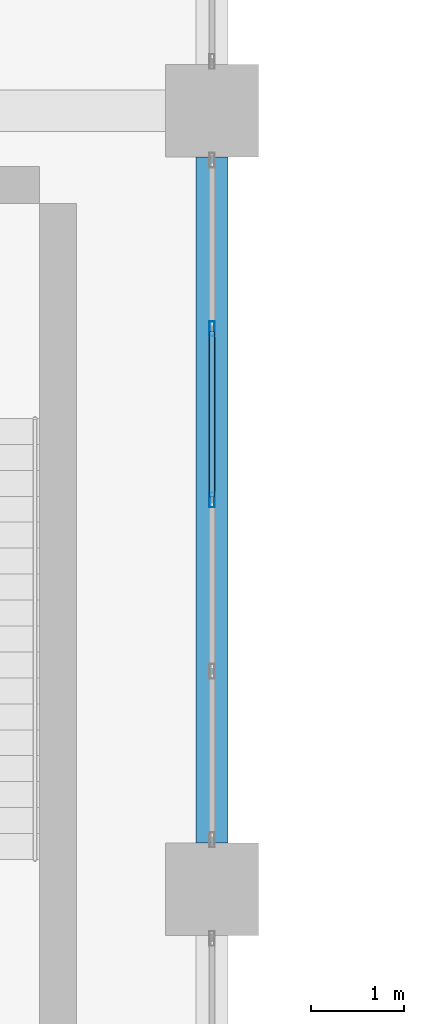
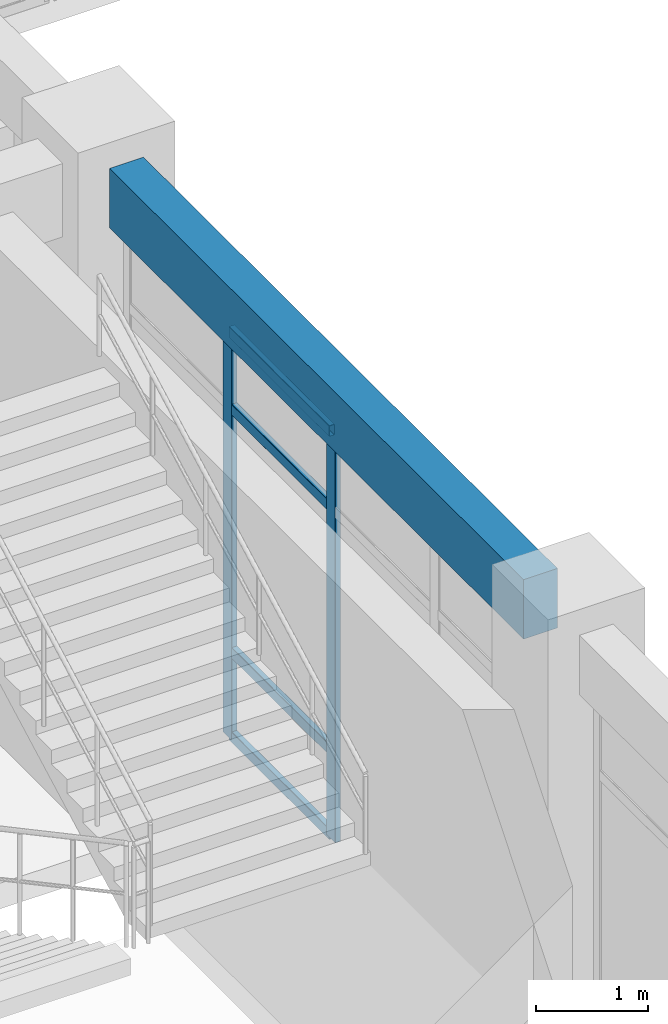
# One storey, part 25 of 114: 6 members, 1 beam, 1 element without a shape of its own.
"""IFC4 building model written with IfcOpenShell, lengths in metres."""

from ifc_helpers import new_model, si_unit, derived_unit, direction, frame, origin, origin_2d, place, context, subcontext, project, spatial, rectangle, hollow_rectangle, extrude, material, layer, layer_set, material_profile, profile_set, type_object, element, aggregate, save


model = new_model("IFC4")

# Units and contexts
model_context = context("Model", 3, precision=1e-05, world=origin(), true_north=direction((0.0, 1.0)))
body_context = subcontext(model_context, "Body", "Model", "MODEL_VIEW")
ifc_project = project(units=[si_unit("LENGTHUNIT", "METRE"), si_unit("AREAUNIT", "SQUARE_METRE"), si_unit("VOLUMEUNIT", "CUBIC_METRE"), si_unit("PLANEANGLEUNIT", "RADIAN"), si_unit("MASSUNIT", "GRAM", prefix="KILO"), derived_unit("THERMALTRANSMITTANCEUNIT", [(si_unit("MASSUNIT", "GRAM", prefix="KILO"), 1), (si_unit("TIMEUNIT", "SECOND"), -3), (si_unit("THERMODYNAMICTEMPERATUREUNIT", "KELVIN"), -1)])], contexts=[model_context])

# Site, building, storey
site_placement = place(None, origin())
site = spatial("IfcSite", under=ifc_project, at=site_placement, CompositionType="ELEMENT")
building_placement = place(site_placement, origin())
building = spatial("IfcBuilding", under=site, at=building_placement, Name="Qinzheling Arcade Emporium", CompositionType="ELEMENT")
storey_placement = place(building_placement, frame((0.0, 0.0, 6.0)))
storey = spatial("IfcBuildingStorey", under=building, at=storey_placement, Name="L02", CompositionType="ELEMENT", Elevation=6.0)

# Curtain wall, members
ifc_material_1 = material(Name="Anodised aluminium and solar-control double glazing", Category="aluminium")
ifc_layer = layer(ifc_material_1, 0.159912109375, Name="Anodised aluminium and solar-control double glazing", Category="aluminium")
ifc_layer_set = layer_set([ifc_layer], Name="Anodised aluminium and solar-control double glazing")
curtain_wall_type = type_object("IfcCurtainWallType", Name="Arcade Portal Glazed Curtain Wall", PredefinedType="NOTDEFINED", material=ifc_layer_set)
curtain_wall_placement = place(storey_placement, origin())
curtain_wall = element("IfcCurtainWall", 1, at=curtain_wall_placement, inside=storey, type_object=curtain_wall_type, Name="Curtain Wall CW-L02-066", PredefinedType="NOTDEFINED")
ifc_material_2 = material(Name="Anodised aluminium 6063-T6", Category="aluminium")
ifc_material_profile_1 = material_profile(ifc_material_2, hollow_rectangle(XDim=0.06005859375, YDim=0.159912109375, WallThickness=0.00390625, InnerFilletRadius=0.00390625, OuterFilletRadius=0.008056640625, at=origin_2d()), Name="RHS 160x60x4", Category="aluminium")
ifc_profile_set_1 = profile_set([ifc_material_profile_1], Name="Anodised aluminium 6063-T6")
member_type_1 = type_object("IfcMemberType", Name="Curtain Wall Mullion RHS160x60", PredefinedType="MULLION", material=ifc_profile_set_1)
member_1_placement = place(storey_placement, frame((69.60009765625, 31.2490234375, 0.0), z_axis=(0.0, 0.0, 1.0), x_axis=(1.0, 0.0, 0.0)))
member_1 = element("IfcMember", 2, at=member_1_placement, type_object=member_type_1, Name="CW05 mullion 2", PredefinedType="MULLION", context=body_context, shape_type="SweptSolid", body=[
    extrude(hollow_rectangle(XDim=0.06005859375, YDim=0.159912109375, WallThickness=0.00390625, InnerFilletRadius=0.00390625, OuterFilletRadius=0.008056640625, at=origin_2d()), origin(), (0.0, 0.0, 1.0), 4.455078125),
])
member_2_placement = place(storey_placement, frame((69.60009765625, 29.39990234375, 0.0), z_axis=(0.0, 0.0, 1.0), x_axis=(1.0, 0.0, 0.0)))
member_2 = element("IfcMember", 3, at=member_2_placement, type_object=member_type_1, Name="CW05 mullion 3", PredefinedType="MULLION", context=body_context, shape_type="SweptSolid", body=[
    extrude(hollow_rectangle(XDim=0.06005859375, YDim=0.159912109375, WallThickness=0.00390625, InnerFilletRadius=0.00390625, OuterFilletRadius=0.008056640625, at=origin_2d()), origin(), (0.0, 0.0, 1.0), 4.455078125),
])
ifc_material_profile_2 = material_profile(ifc_material_2, hollow_rectangle(XDim=0.06005859375, YDim=0.1201171875, WallThickness=0.00390625, InnerFilletRadius=0.00390625, OuterFilletRadius=0.008056640625, at=origin_2d()), Name="RHS 120x60x4", Category="aluminium")
ifc_profile_set_2 = profile_set([ifc_material_profile_2], Name="Anodised aluminium 6063-T6")
member_type_2 = type_object("IfcMemberType", Name="Curtain Wall Transom RHS120x60", PredefinedType="USERDEFINED", material=ifc_profile_set_2)
member_3_placement = place(storey_placement, frame((69.60009765625, 31.218994140625, 0.030029296875), z_axis=(0.0, -1.0, 0.0), x_axis=(1.0, 0.0, 0.0)))
member_3 = element("IfcMember", 4, at=member_3_placement, type_object=member_type_2, Name="CW05 transom 2.1", ObjectType="TRANSOM", PredefinedType="USERDEFINED", context=body_context, shape_type="SweptSolid", body=[
    extrude(hollow_rectangle(XDim=0.06005859375, YDim=0.1201171875, WallThickness=0.00390625, InnerFilletRadius=0.00390625, OuterFilletRadius=0.008056640625, at=origin_2d()), origin(), (0.0, 0.0, 1.0), 1.7890625),
])
member_4_placement = place(storey_placement, frame((69.60009765625, 31.218994140625, 0.949951171875), z_axis=(0.0, -1.0, 0.0), x_axis=(1.0, 0.0, 0.0)))
member_4 = element("IfcMember", 5, at=member_4_placement, type_object=member_type_2, Name="CW05 transom 2.2", ObjectType="TRANSOM", PredefinedType="USERDEFINED", context=body_context, shape_type="SweptSolid", body=[
    extrude(hollow_rectangle(XDim=0.06005859375, YDim=0.1201171875, WallThickness=0.00390625, InnerFilletRadius=0.00390625, OuterFilletRadius=0.008056640625, at=origin_2d()), origin(), (0.0, 0.0, 1.0), 1.7890625),
])
member_5_placement = place(storey_placement, frame((69.60009765625, 31.218994140625, 3.60498046875), z_axis=(0.0, -1.0, 0.0), x_axis=(1.0, 0.0, 0.0)))
member_5 = element("IfcMember", 6, at=member_5_placement, type_object=member_type_2, Name="CW05 transom 2.3", ObjectType="TRANSOM", PredefinedType="USERDEFINED", context=body_context, shape_type="SweptSolid", body=[
    extrude(hollow_rectangle(XDim=0.06005859375, YDim=0.1201171875, WallThickness=0.00390625, InnerFilletRadius=0.00390625, OuterFilletRadius=0.008056640625, at=origin_2d()), origin(), (0.0, 0.0, 1.0), 1.7890625),
])
member_6_placement = place(storey_placement, frame((69.60009765625, 31.218994140625, 4.425048828125), z_axis=(0.0, -1.0, 0.0), x_axis=(1.0, 0.0, 0.0)))
member_6 = element("IfcMember", 7, at=member_6_placement, type_object=member_type_2, Name="CW05 transom 2.4", ObjectType="TRANSOM", PredefinedType="USERDEFINED", context=body_context, shape_type="SweptSolid", body=[
    extrude(hollow_rectangle(XDim=0.06005859375, YDim=0.1201171875, WallThickness=0.00390625, InnerFilletRadius=0.00390625, OuterFilletRadius=0.008056640625, at=origin_2d()), origin(), (0.0, 0.0, 1.0), 1.7890625),
])
aggregate(curtain_wall, [member_1, member_2, member_3, member_4, member_5, member_6])

# Beam
ifc_material_3 = material(Name="Concrete C40", Category="concrete")
ifc_material_profile_3 = material_profile(ifc_material_3, rectangle(XDim=0.35009765625, YDim=0.64990234375, at=origin_2d()), Name="RC 350x650", Category="concrete")
ifc_profile_set_3 = profile_set([ifc_material_profile_3], Name="Concrete C40")
beam_type = type_object("IfcBeamType", Name="RC Spandrel Edge Beam 350x650 C40", PredefinedType="SPANDREL", material=ifc_profile_set_3)
beam_placement = place(storey_placement, frame((69.60009765625, 25.699951171875, 4.794921875), z_axis=(0.0, 1.0, 0.0), x_axis=(-1.0, 0.0, 0.0)))
element("IfcBeam", 8, at=beam_placement, inside=storey, type_object=beam_type, Name="Beam BM-L02-Y-9-D", PredefinedType="SPANDREL", context=body_context, shape_type="SweptSolid", body=[
    extrude(rectangle(XDim=0.35009765625, YDim=0.64990234375, at=origin_2d()), origin(), (0.0, 0.0, 1.0), 7.400146484375),
])

save(model, "model.ifc")
